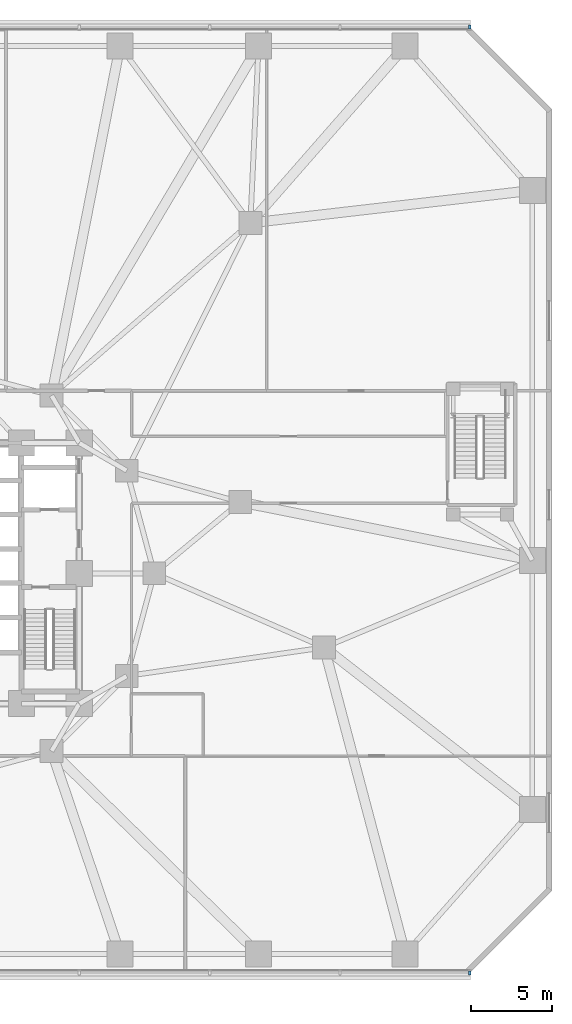
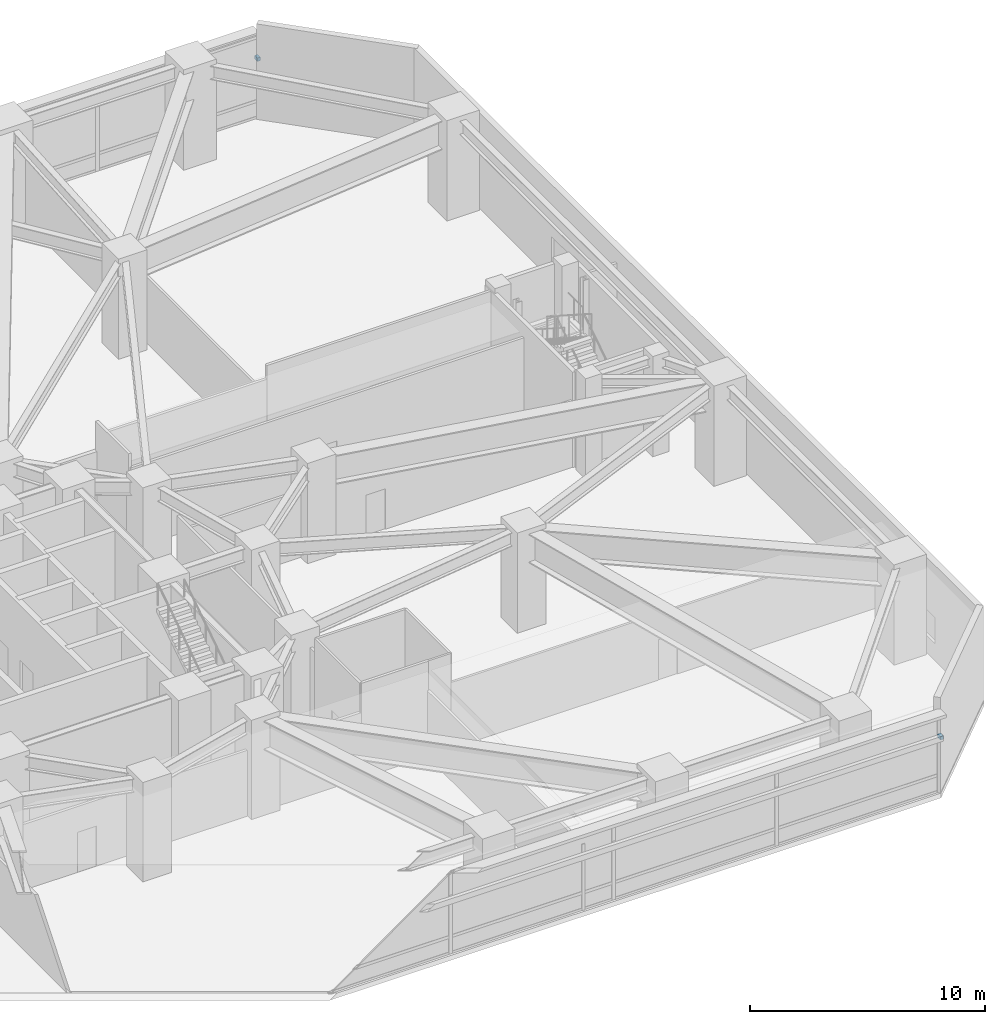
# One storey, part 21 of 27: 2 discrete accessories.
"""IFC4 building model written with IfcOpenShell, lengths in metres."""

from ifc_helpers import new_model, si_unit, direction, frame, origin, origin_2d, place, context, subcontext, project, spatial, rectangle, extrude, material, type_object, element, save


model = new_model("IFC4")

# Units and contexts
model_context = context("Model", 3, precision=1e-05, world=origin(), true_north=direction((0.0, 1.0)))
body_context = subcontext(model_context, "Body", "Model", "MODEL_VIEW")
ifc_project = project(units=[si_unit("LENGTHUNIT", "METRE"), si_unit("AREAUNIT", "SQUARE_METRE"), si_unit("VOLUMEUNIT", "CUBIC_METRE"), si_unit("PLANEANGLEUNIT", "RADIAN"), si_unit("MASSUNIT", "GRAM", prefix="KILO")], contexts=[model_context])

# Site, building, storey
site_placement = place(None, origin())
site = spatial("IfcSite", under=ifc_project, at=site_placement, CompositionType="ELEMENT")
building_placement = place(site_placement, origin())
building = spatial("IfcBuilding", under=site, at=building_placement, Name="Terralouvre Media Tower", CompositionType="ELEMENT")
storey_placement = place(building_placement, frame((0.0, 0.0, 15.60009765625)))
storey = spatial("IfcBuildingStorey", under=building, at=storey_placement, Name="L03", CompositionType="ELEMENT", Elevation=15.60009765625)

# Discrete accessories
ifc_material = material(Name="Anodised extruded aluminium 6063-T6", Category="aluminium")
discrete_accessory_type = type_object("IfcDiscreteAccessoryType", Name="Mullion Stand-Off Baguette Fixing Bracket BK-01", PredefinedType="BRACKET", material=ifc_material)
for number, where, z_axis, x_axis, name in (
    (1, (31.96240234375, -24.52001953125, 2.87451171875), (0.0, 0.0, 1.0), (1.0, 0.0, 0.0), "CW-L03-F0 Baguette Outrigger Bracket 1.09"),
    (2, (31.96240234375, 33.52001953125, 2.87451171875), (0.0, 0.0, 1.0), (-1.0, 0.0, 0.0), "CW-L03-F4 Baguette Outrigger Bracket 1.01"),
):
    element("IfcDiscreteAccessory", number, at=place(storey_placement, frame(where, z_axis=z_axis, x_axis=x_axis)), inside=storey, type_object=discrete_accessory_type, Name=name, PredefinedType="BRACKET", context=body_context, shape_type="SweptSolid", body=[
        extrude(rectangle(XDim=0.139892578125, YDim=0.239990234375, at=origin_2d()), origin(), (0.0, 0.0, 1.0), 0.179931640625),
    ])

save(model, "model.ifc")
